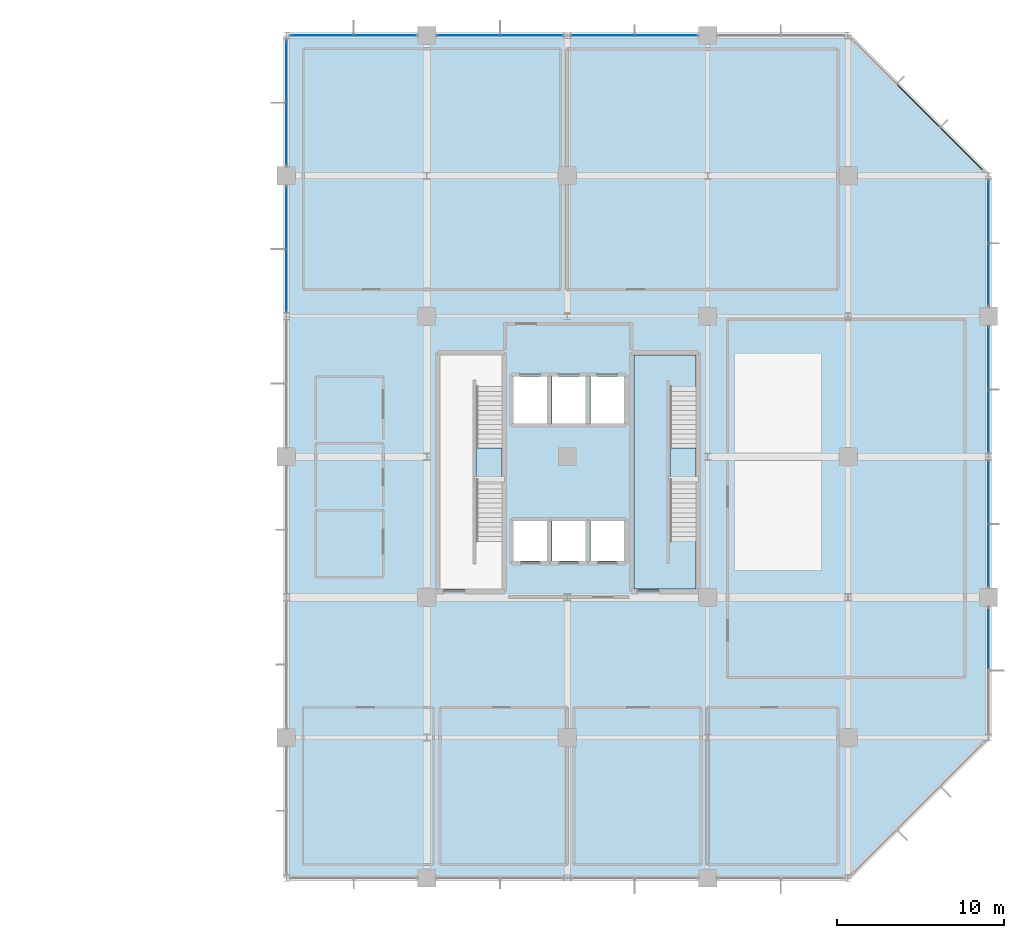
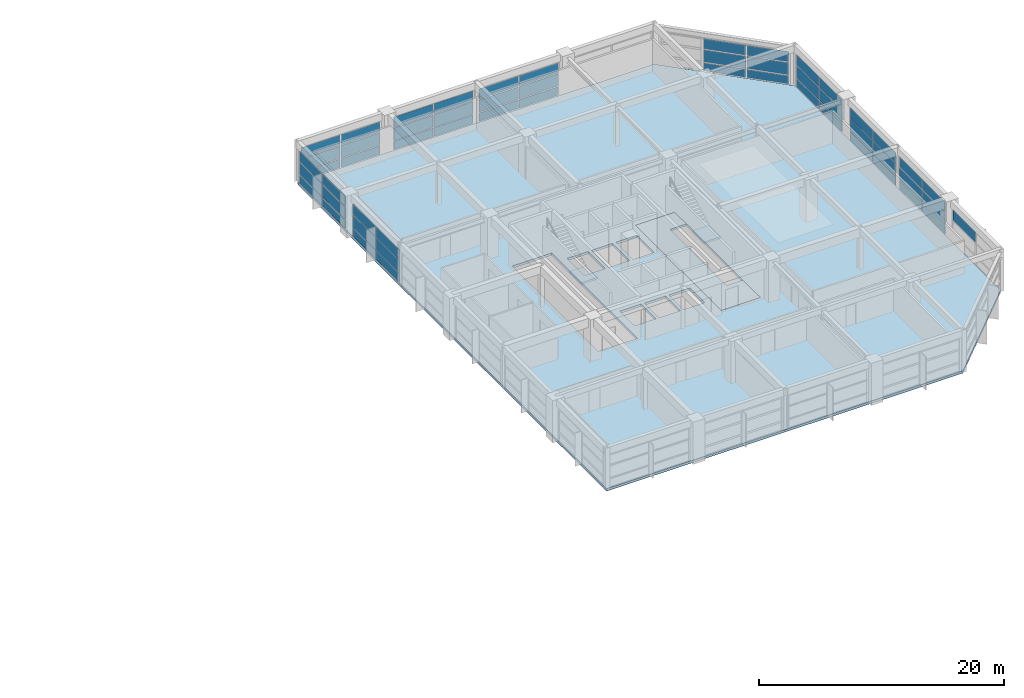
# One storey, part 14 of 19: 55 plates, 4 slabs, 12 elements without a shape of their own.
"""IFC4 building model written with IfcOpenShell, lengths in metres."""

from ifc_helpers import new_model, si_unit, direction, frame, origin, origin_2d, place, context, subcontext, project, spatial, polyline, rectangle, outline, extrude, material, layer, layer_set, type_object, element, aggregate, save


model = new_model("IFC4")

# Units and contexts
model_context = context("Model", 3, precision=1e-05, world=origin(), true_north=direction((0.0, 1.0)))
body_context = subcontext(model_context, "Body", "Model", "MODEL_VIEW")
ifc_project = project(units=[si_unit("LENGTHUNIT", "METRE"), si_unit("AREAUNIT", "SQUARE_METRE"), si_unit("VOLUMEUNIT", "CUBIC_METRE"), si_unit("PLANEANGLEUNIT", "RADIAN"), si_unit("MASSUNIT", "GRAM", prefix="KILO")], contexts=[model_context])

# Site, building, storey
site_placement = place(None, origin())
site = spatial("IfcSite", under=ifc_project, at=site_placement, CompositionType="ELEMENT")
building_placement = place(site_placement, origin())
building = spatial("IfcBuilding", under=site, at=building_placement, Name="Xuanlan Plaza Opera House", CompositionType="ELEMENT")
storey_placement = place(building_placement, frame((0.0, 0.0, 36.300048828125)))
storey = spatial("IfcBuildingStorey", under=building, at=storey_placement, Name="L08", CompositionType="ELEMENT", Elevation=36.300048828125)

# Curtain wall, plates
ifc_material_1 = material(Name="Anodised Aluminium 6063-T6 and Low-E Glass", Category="aluminium")
curtain_wall_type_1 = type_object("IfcCurtainWallType", Name="ENV-CW-CW-01", PredefinedType="USERDEFINED", material=ifc_material_1)
curtain_wall_1_placement = place(storey_placement, origin())
curtain_wall_1 = element("IfcCurtainWall", 1, at=curtain_wall_1_placement, inside=storey, type_object=curtain_wall_type_1, Name="Unitised Curtain Wall L08-007", ObjectType="UNITISED CURTAIN WALL", PredefinedType="USERDEFINED")
ifc_material_2 = material(Name="Laminated Acoustic Double Glazing", Category="glass")
ifc_layer_1 = layer(ifc_material_2, 0.028076171875)
ifc_layer_set_1 = layer_set([ifc_layer_1], Name="Laminated Acoustic Double Glazing")
plate_type_1 = type_object("IfcPlateType", Name="ENV-CWP-01", PredefinedType="CURTAIN_PANEL", material=ifc_layer_set_1)
plate_1_placement = place(storey_placement, frame((168.0, 52.889892578125, 0.079833984375), z_axis=(0.0, 0.0, 1.0), x_axis=(0.0, 1.0, 0.0)))
plate_1 = element("IfcPlate", 2, at=plate_1_placement, type_object=plate_type_1, Name="CW-01 panel 1.1", PredefinedType="CURTAIN_PANEL", context=body_context, shape_type="SweptSolid", body=[
    extrude(rectangle(XDim=3.699951171875, YDim=0.028076171875, at=origin_2d()), origin(), (0.0, 0.0, 1.0), 0.830078125),
])
plate_2_placement = place(storey_placement, frame((168.0, 52.889892578125, 0.98974609375), z_axis=(0.0, 0.0, 1.0), x_axis=(0.0, 1.0, 0.0)))
plate_2 = element("IfcPlate", 3, at=plate_2_placement, type_object=plate_type_1, Name="CW-01 panel 1.2", PredefinedType="CURTAIN_PANEL", context=body_context, shape_type="SweptSolid", body=[
    extrude(rectangle(XDim=3.699951171875, YDim=0.028076171875, at=origin_2d()), origin(), (0.0, 0.0, 1.0), 1.219970703125),
])
plate_3_placement = place(storey_placement, frame((168.0, 52.889892578125, 2.2900390625), z_axis=(0.0, 0.0, 1.0), x_axis=(0.0, 1.0, 0.0)))
plate_3 = element("IfcPlate", 4, at=plate_3_placement, type_object=plate_type_1, Name="CW-01 panel 1.3", PredefinedType="CURTAIN_PANEL", context=body_context, shape_type="SweptSolid", body=[
    extrude(rectangle(XDim=3.699951171875, YDim=0.028076171875, at=origin_2d()), origin(), (0.0, 0.0, 1.0), 1.010009765625),
])
plate_4_placement = place(storey_placement, frame((168.0, 56.659912109375, 0.079833984375), z_axis=(0.0, 0.0, 1.0), x_axis=(0.0, 1.0, 0.0)))
plate_4 = element("IfcPlate", 5, at=plate_4_placement, type_object=plate_type_1, Name="CW-01 panel 2.1", PredefinedType="CURTAIN_PANEL", context=body_context, shape_type="SweptSolid", body=[
    extrude(rectangle(XDim=3.699951171875, YDim=0.028076171875, at=origin_2d()), origin(), (0.0, 0.0, 1.0), 0.830078125),
])
plate_5_placement = place(storey_placement, frame((168.0, 56.659912109375, 0.98974609375), z_axis=(0.0, 0.0, 1.0), x_axis=(0.0, 1.0, 0.0)))
plate_5 = element("IfcPlate", 6, at=plate_5_placement, type_object=plate_type_1, Name="CW-01 panel 2.2", PredefinedType="CURTAIN_PANEL", context=body_context, shape_type="SweptSolid", body=[
    extrude(rectangle(XDim=3.699951171875, YDim=0.028076171875, at=origin_2d()), origin(), (0.0, 0.0, 1.0), 1.219970703125),
])
plate_6_placement = place(storey_placement, frame((168.0, 56.659912109375, 2.2900390625), z_axis=(0.0, 0.0, 1.0), x_axis=(0.0, 1.0, 0.0)))
plate_6 = element("IfcPlate", 7, at=plate_6_placement, type_object=plate_type_1, Name="CW-01 panel 2.3", PredefinedType="CURTAIN_PANEL", context=body_context, shape_type="SweptSolid", body=[
    extrude(rectangle(XDim=3.699951171875, YDim=0.028076171875, at=origin_2d()), origin(), (0.0, 0.0, 1.0), 1.010009765625),
])
aggregate(curtain_wall_1, [plate_1, plate_2, plate_3, plate_4, plate_5, plate_6])

curtain_wall_type_2 = type_object("IfcCurtainWallType", Name="ENV-CW-CW-02", PredefinedType="USERDEFINED", material=ifc_material_1)
curtain_wall_2_placement = place(storey_placement, origin())
curtain_wall_2 = element("IfcCurtainWall", 8, at=curtain_wall_2_placement, inside=storey, type_object=curtain_wall_type_2, Name="Unitised Curtain Wall L08-012", ObjectType="UNITISED CURTAIN WALL", PredefinedType="USERDEFINED")
plate_7_placement = place(storey_placement, frame((148.7099609375, 84.0, 0.079833984375), z_axis=(0.0, 0.0, 1.0), x_axis=(-1.0, 0.0, 0.0)))
plate_7 = element("IfcPlate", 9, at=plate_7_placement, type_object=plate_type_1, Name="CW-02 panel 1.1", PredefinedType="CURTAIN_PANEL", context=body_context, shape_type="SweptSolid", body=[
    extrude(rectangle(XDim=3.699951171875, YDim=0.028076171875, at=origin_2d()), origin(), (0.0, 0.0, 1.0), 0.830078125),
])
plate_8_placement = place(storey_placement, frame((148.7099609375, 84.0, 0.98974609375), z_axis=(0.0, 0.0, 1.0), x_axis=(-1.0, 0.0, 0.0)))
plate_8 = element("IfcPlate", 10, at=plate_8_placement, type_object=plate_type_1, Name="CW-02 panel 1.2", PredefinedType="CURTAIN_PANEL", context=body_context, shape_type="SweptSolid", body=[
    extrude(rectangle(XDim=3.699951171875, YDim=0.028076171875, at=origin_2d()), origin(), (0.0, 0.0, 1.0), 1.219970703125),
])
plate_9_placement = place(storey_placement, frame((148.7099609375, 84.0, 2.2900390625), z_axis=(0.0, 0.0, 1.0), x_axis=(-1.0, 0.0, 0.0)))
plate_9 = element("IfcPlate", 11, at=plate_9_placement, type_object=plate_type_1, Name="CW-02 panel 1.3", PredefinedType="CURTAIN_PANEL", context=body_context, shape_type="SweptSolid", body=[
    extrude(rectangle(XDim=3.699951171875, YDim=0.028076171875, at=origin_2d()), origin(), (0.0, 0.0, 1.0), 1.010009765625),
])
plate_10_placement = place(storey_placement, frame((144.93994140625, 84.0, 0.079833984375), z_axis=(0.0, 0.0, 1.0), x_axis=(-1.0, 0.0, 0.0)))
plate_10 = element("IfcPlate", 12, at=plate_10_placement, type_object=plate_type_1, Name="CW-02 panel 2.1", PredefinedType="CURTAIN_PANEL", context=body_context, shape_type="SweptSolid", body=[
    extrude(rectangle(XDim=3.699951171875, YDim=0.028076171875, at=origin_2d()), origin(), (0.0, 0.0, 1.0), 0.830078125),
])
plate_11_placement = place(storey_placement, frame((144.93994140625, 84.0, 0.98974609375), z_axis=(0.0, 0.0, 1.0), x_axis=(-1.0, 0.0, 0.0)))
plate_11 = element("IfcPlate", 13, at=plate_11_placement, type_object=plate_type_1, Name="CW-02 panel 2.2", PredefinedType="CURTAIN_PANEL", context=body_context, shape_type="SweptSolid", body=[
    extrude(rectangle(XDim=3.699951171875, YDim=0.028076171875, at=origin_2d()), origin(), (0.0, 0.0, 1.0), 1.219970703125),
])
plate_12_placement = place(storey_placement, frame((144.93994140625, 84.0, 2.2900390625), z_axis=(0.0, 0.0, 1.0), x_axis=(-1.0, 0.0, 0.0)))
plate_12 = element("IfcPlate", 14, at=plate_12_placement, type_object=plate_type_1, Name="CW-02 panel 2.3", PredefinedType="CURTAIN_PANEL", context=body_context, shape_type="SweptSolid", body=[
    extrude(rectangle(XDim=3.699951171875, YDim=0.028076171875, at=origin_2d()), origin(), (0.0, 0.0, 1.0), 1.010009765625),
])
aggregate(curtain_wall_2, [plate_7, plate_8, plate_9, plate_10, plate_11, plate_12])

curtain_wall_type_3 = type_object("IfcCurtainWallType", Name="ENV-CW-CW-03", PredefinedType="USERDEFINED", material=ifc_material_1)
curtain_wall_3_placement = place(storey_placement, origin())
curtain_wall_3 = element("IfcCurtainWall", 15, at=curtain_wall_3_placement, inside=storey, type_object=curtain_wall_type_3, Name="Unitised Curtain Wall L08-009", ObjectType="UNITISED CURTAIN WALL", PredefinedType="USERDEFINED")
ifc_layer_2 = layer(ifc_material_2, 0.031982421875)
ifc_layer_set_2 = layer_set([ifc_layer_2], Name="Laminated Acoustic Double Glazing")
plate_type_2 = type_object("IfcPlateType", Name="ENV-CWP-02", PredefinedType="CURTAIN_PANEL", material=ifc_layer_set_2)
plate_13_placement = place(storey_placement, frame((168.0, 69.6923828125, 0.074951171875), z_axis=(0.0, 0.0, 1.0), x_axis=(0.0, 1.0, 0.0)))
plate_13 = element("IfcPlate", 16, at=plate_13_placement, type_object=plate_type_2, Name="CW-03 panel 1.1", PredefinedType="CURTAIN_PANEL", context=body_context, shape_type="SweptSolid", body=[
    extrude(rectangle(XDim=3.68505859375, YDim=0.031982421875, at=origin_2d()), origin(), (0.0, 0.0, 1.0), 0.83740234375),
])
plate_14_placement = place(storey_placement, frame((168.0, 69.6923828125, 0.9873046875), z_axis=(0.0, 0.0, 1.0), x_axis=(0.0, 1.0, 0.0)))
plate_14 = element("IfcPlate", 17, at=plate_14_placement, type_object=plate_type_2, Name="CW-03 panel 1.2", PredefinedType="CURTAIN_PANEL", context=body_context, shape_type="SweptSolid", body=[
    extrude(rectangle(XDim=3.68505859375, YDim=0.031982421875, at=origin_2d()), origin(), (0.0, 0.0, 1.0), 1.22509765625),
])
plate_15_placement = place(storey_placement, frame((168.0, 69.6923828125, 2.287353515625), z_axis=(0.0, 0.0, 1.0), x_axis=(0.0, 1.0, 0.0)))
plate_15 = element("IfcPlate", 18, at=plate_15_placement, type_object=plate_type_2, Name="CW-03 panel 1.3", PredefinedType="CURTAIN_PANEL", context=body_context, shape_type="SweptSolid", body=[
    extrude(rectangle(XDim=3.68505859375, YDim=0.031982421875, at=origin_2d()), origin(), (0.0, 0.0, 1.0), 1.017578125),
])
plate_16_placement = place(storey_placement, frame((168.0, 73.45751953125, 0.074951171875), z_axis=(0.0, 0.0, 1.0), x_axis=(0.0, 1.0, 0.0)))
plate_16 = element("IfcPlate", 19, at=plate_16_placement, type_object=plate_type_2, Name="CW-03 panel 2.1", PredefinedType="CURTAIN_PANEL", context=body_context, shape_type="SweptSolid", body=[
    extrude(rectangle(XDim=3.68505859375, YDim=0.031982421875, at=origin_2d()), origin(), (0.0, 0.0, 1.0), 0.83740234375),
])
plate_17_placement = place(storey_placement, frame((168.0, 73.45751953125, 0.9873046875), z_axis=(0.0, 0.0, 1.0), x_axis=(0.0, 1.0, 0.0)))
plate_17 = element("IfcPlate", 20, at=plate_17_placement, type_object=plate_type_2, Name="CW-03 panel 2.2", PredefinedType="CURTAIN_PANEL", context=body_context, shape_type="SweptSolid", body=[
    extrude(rectangle(XDim=3.68505859375, YDim=0.031982421875, at=origin_2d()), origin(), (0.0, 0.0, 1.0), 1.22509765625),
])
plate_18_placement = place(storey_placement, frame((168.0, 73.45751953125, 2.287353515625), z_axis=(0.0, 0.0, 1.0), x_axis=(0.0, 1.0, 0.0)))
plate_18 = element("IfcPlate", 21, at=plate_18_placement, type_object=plate_type_2, Name="CW-03 panel 2.3", PredefinedType="CURTAIN_PANEL", context=body_context, shape_type="SweptSolid", body=[
    extrude(rectangle(XDim=3.68505859375, YDim=0.031982421875, at=origin_2d()), origin(), (0.0, 0.0, 1.0), 1.017578125),
])
aggregate(curtain_wall_3, [plate_13, plate_14, plate_15, plate_16, plate_17, plate_18])

curtain_wall_type_4 = type_object("IfcCurtainWallType", Name="ENV-CW-CW-04", PredefinedType="USERDEFINED", material=ifc_material_1)
curtain_wall_4_placement = place(storey_placement, origin())
curtain_wall_4 = element("IfcCurtainWall", 22, at=curtain_wall_4_placement, inside=storey, type_object=curtain_wall_type_4, Name="Unitised Curtain Wall L08-014", ObjectType="UNITISED CURTAIN WALL", PredefinedType="USERDEFINED")
plate_19_placement = place(storey_placement, frame((131.907470703125, 84.0, 0.074951171875), z_axis=(0.0, 0.0, 1.0), x_axis=(-1.0, 0.0, 0.0)))
plate_19 = element("IfcPlate", 23, at=plate_19_placement, type_object=plate_type_2, Name="CW-04 panel 1.1", PredefinedType="CURTAIN_PANEL", context=body_context, shape_type="SweptSolid", body=[
    extrude(rectangle(XDim=3.68505859375, YDim=0.031982421875, at=origin_2d()), origin(), (0.0, 0.0, 1.0), 0.83740234375),
])
plate_20_placement = place(storey_placement, frame((131.907470703125, 84.0, 0.9873046875), z_axis=(0.0, 0.0, 1.0), x_axis=(-1.0, 0.0, 0.0)))
plate_20 = element("IfcPlate", 24, at=plate_20_placement, type_object=plate_type_2, Name="CW-04 panel 1.2", PredefinedType="CURTAIN_PANEL", context=body_context, shape_type="SweptSolid", body=[
    extrude(rectangle(XDim=3.68505859375, YDim=0.031982421875, at=origin_2d()), origin(), (0.0, 0.0, 1.0), 1.22509765625),
])
plate_21_placement = place(storey_placement, frame((131.907470703125, 84.0, 2.287353515625), z_axis=(0.0, 0.0, 1.0), x_axis=(-1.0, 0.0, 0.0)))
plate_21 = element("IfcPlate", 25, at=plate_21_placement, type_object=plate_type_2, Name="CW-04 panel 1.3", PredefinedType="CURTAIN_PANEL", context=body_context, shape_type="SweptSolid", body=[
    extrude(rectangle(XDim=3.68505859375, YDim=0.031982421875, at=origin_2d()), origin(), (0.0, 0.0, 1.0), 1.017578125),
])
plate_22_placement = place(storey_placement, frame((128.142578125, 84.0, 0.074951171875), z_axis=(0.0, 0.0, 1.0), x_axis=(-1.0, 0.0, 0.0)))
plate_22 = element("IfcPlate", 26, at=plate_22_placement, type_object=plate_type_2, Name="CW-04 panel 2.1", PredefinedType="CURTAIN_PANEL", context=body_context, shape_type="SweptSolid", body=[
    extrude(rectangle(XDim=3.68505859375, YDim=0.031982421875, at=origin_2d()), origin(), (0.0, 0.0, 1.0), 0.83740234375),
])
plate_23_placement = place(storey_placement, frame((128.142578125, 84.0, 0.9873046875), z_axis=(0.0, 0.0, 1.0), x_axis=(-1.0, 0.0, 0.0)))
plate_23 = element("IfcPlate", 27, at=plate_23_placement, type_object=plate_type_2, Name="CW-04 panel 2.2", PredefinedType="CURTAIN_PANEL", context=body_context, shape_type="SweptSolid", body=[
    extrude(rectangle(XDim=3.68505859375, YDim=0.031982421875, at=origin_2d()), origin(), (0.0, 0.0, 1.0), 1.22509765625),
])
plate_24_placement = place(storey_placement, frame((128.142578125, 84.0, 2.287353515625), z_axis=(0.0, 0.0, 1.0), x_axis=(-1.0, 0.0, 0.0)))
plate_24 = element("IfcPlate", 28, at=plate_24_placement, type_object=plate_type_2, Name="CW-04 panel 2.3", PredefinedType="CURTAIN_PANEL", context=body_context, shape_type="SweptSolid", body=[
    extrude(rectangle(XDim=3.68505859375, YDim=0.031982421875, at=origin_2d()), origin(), (0.0, 0.0, 1.0), 1.017578125),
])
aggregate(curtain_wall_4, [plate_19, plate_20, plate_21, plate_22, plate_23, plate_24])

# Curtain wall, plate
curtain_wall_5_placement = place(storey_placement, origin())
curtain_wall_5 = element("IfcCurtainWall", 29, at=curtain_wall_5_placement, inside=storey, type_object=curtain_wall_type_4, Name="Unitised Curtain Wall L08-006", ObjectType="UNITISED CURTAIN WALL", PredefinedType="USERDEFINED")
ifc_layer_3 = layer(ifc_material_2, 0.035888671875)
ifc_layer_set_3 = layer_set([ifc_layer_3], Name="Laminated Acoustic Double Glazing")
plate_type_3 = type_object("IfcPlateType", Name="ENV-CWP-03", PredefinedType="CURTAIN_PANEL", material=ifc_layer_set_3)
plate_25_placement = place(storey_placement, frame((168.0, 47.9111328125, 2.284912109375), z_axis=(0.0, 0.0, 1.0), x_axis=(0.0, 1.0, 0.0)))
plate_25 = element("IfcPlate", 30, at=plate_25_placement, type_object=plate_type_3, Name="CW-04 panel 2.3", PredefinedType="CURTAIN_PANEL", context=body_context, shape_type="SweptSolid", body=[
    extrude(rectangle(XDim=3.70751953125, YDim=0.035888671875, at=origin_2d()), origin(), (0.0, 0.0, 1.0), 1.02490234375),
])
aggregate(curtain_wall_5, [plate_25])

# Curtain wall, plates
curtain_wall_6_placement = place(storey_placement, origin())
curtain_wall_6 = element("IfcCurtainWall", 31, at=curtain_wall_6_placement, inside=storey, type_object=curtain_wall_type_2, Name="Unitised Curtain Wall L08-016", ObjectType="UNITISED CURTAIN WALL", PredefinedType="USERDEFINED")
plate_26_placement = place(storey_placement, frame((126.0, 73.111328125, 0.06982421875), z_axis=(0.0, 0.0, 1.0), x_axis=(0.0, -1.0, 0.0)))
plate_26 = element("IfcPlate", 32, at=plate_26_placement, type_object=plate_type_3, Name="CW-02 panel 1.1", PredefinedType="CURTAIN_PANEL", context=body_context, shape_type="SweptSolid", body=[
    extrude(rectangle(XDim=3.70751953125, YDim=0.035888671875, at=origin_2d()), origin(), (0.0, 0.0, 1.0), 0.844970703125),
])
plate_27_placement = place(storey_placement, frame((126.0, 73.111328125, 0.98486328125), z_axis=(0.0, 0.0, 1.0), x_axis=(0.0, -1.0, 0.0)))
plate_27 = element("IfcPlate", 33, at=plate_27_placement, type_object=plate_type_3, Name="CW-02 panel 1.2", PredefinedType="CURTAIN_PANEL", context=body_context, shape_type="SweptSolid", body=[
    extrude(rectangle(XDim=3.70751953125, YDim=0.035888671875, at=origin_2d()), origin(), (0.0, 0.0, 1.0), 1.22998046875),
])
plate_28_placement = place(storey_placement, frame((126.0, 73.111328125, 2.284912109375), z_axis=(0.0, 0.0, 1.0), x_axis=(0.0, -1.0, 0.0)))
plate_28 = element("IfcPlate", 34, at=plate_28_placement, type_object=plate_type_3, Name="CW-02 panel 1.3", PredefinedType="CURTAIN_PANEL", context=body_context, shape_type="SweptSolid", body=[
    extrude(rectangle(XDim=3.70751953125, YDim=0.035888671875, at=origin_2d()), origin(), (0.0, 0.0, 1.0), 1.02490234375),
])
plate_29_placement = place(storey_placement, frame((126.0, 69.3388671875, 0.06982421875), z_axis=(0.0, 0.0, 1.0), x_axis=(0.0, -1.0, 0.0)))
plate_29 = element("IfcPlate", 35, at=plate_29_placement, type_object=plate_type_3, Name="CW-02 panel 2.1", PredefinedType="CURTAIN_PANEL", context=body_context, shape_type="SweptSolid", body=[
    extrude(rectangle(XDim=3.70751953125, YDim=0.035888671875, at=origin_2d()), origin(), (0.0, 0.0, 1.0), 0.844970703125),
])
plate_30_placement = place(storey_placement, frame((126.0, 69.3388671875, 0.98486328125), z_axis=(0.0, 0.0, 1.0), x_axis=(0.0, -1.0, 0.0)))
plate_30 = element("IfcPlate", 36, at=plate_30_placement, type_object=plate_type_3, Name="CW-02 panel 2.2", PredefinedType="CURTAIN_PANEL", context=body_context, shape_type="SweptSolid", body=[
    extrude(rectangle(XDim=3.70751953125, YDim=0.035888671875, at=origin_2d()), origin(), (0.0, 0.0, 1.0), 1.22998046875),
])
plate_31_placement = place(storey_placement, frame((126.0, 69.3388671875, 2.284912109375), z_axis=(0.0, 0.0, 1.0), x_axis=(0.0, -1.0, 0.0)))
plate_31 = element("IfcPlate", 37, at=plate_31_placement, type_object=plate_type_3, Name="CW-02 panel 2.3", PredefinedType="CURTAIN_PANEL", context=body_context, shape_type="SweptSolid", body=[
    extrude(rectangle(XDim=3.70751953125, YDim=0.035888671875, at=origin_2d()), origin(), (0.0, 0.0, 1.0), 1.02490234375),
])
aggregate(curtain_wall_6, [plate_26, plate_27, plate_28, plate_29, plate_30, plate_31])

curtain_wall_7_placement = place(storey_placement, origin())
curtain_wall_7 = element("IfcCurtainWall", 38, at=curtain_wall_7_placement, inside=storey, type_object=curtain_wall_type_2, Name="Unitised Curtain Wall L08-008", ObjectType="UNITISED CURTAIN WALL", PredefinedType="USERDEFINED")
ifc_layer_4 = layer(ifc_material_2, 0.0400390625)
ifc_layer_set_4 = layer_set([ifc_layer_4], Name="Laminated Acoustic Double Glazing")
plate_type_4 = type_object("IfcPlateType", Name="ENV-CWP-04", PredefinedType="CURTAIN_PANEL", material=ifc_layer_set_4)
plate_32_placement = place(storey_placement, frame((168.0, 60.941162109375, 0.06494140625), z_axis=(0.0, 0.0, 1.0), x_axis=(0.0, 1.0, 0.0)))
plate_32 = element("IfcPlate", 39, at=plate_32_placement, type_object=plate_type_4, Name="CW-02 panel 1.1", PredefinedType="CURTAIN_PANEL", context=body_context, shape_type="SweptSolid", body=[
    extrude(rectangle(XDim=3.6923828125, YDim=0.0400390625, at=origin_2d()), origin(), (0.0, 0.0, 1.0), 0.8525390625),
])
plate_33_placement = place(storey_placement, frame((168.0, 60.941162109375, 0.982421875), z_axis=(0.0, 0.0, 1.0), x_axis=(0.0, 1.0, 0.0)))
plate_33 = element("IfcPlate", 40, at=plate_33_placement, type_object=plate_type_4, Name="CW-02 panel 1.2", PredefinedType="CURTAIN_PANEL", context=body_context, shape_type="SweptSolid", body=[
    extrude(rectangle(XDim=3.6923828125, YDim=0.0400390625, at=origin_2d()), origin(), (0.0, 0.0, 1.0), 1.235107421875),
])
plate_34_placement = place(storey_placement, frame((168.0, 60.941162109375, 2.2822265625), z_axis=(0.0, 0.0, 1.0), x_axis=(0.0, 1.0, 0.0)))
plate_34 = element("IfcPlate", 41, at=plate_34_placement, type_object=plate_type_4, Name="CW-02 panel 1.3", PredefinedType="CURTAIN_PANEL", context=body_context, shape_type="SweptSolid", body=[
    extrude(rectangle(XDim=3.6923828125, YDim=0.0400390625, at=origin_2d()), origin(), (0.0, 0.0, 1.0), 1.032470703125),
])
plate_35_placement = place(storey_placement, frame((168.0, 64.708740234375, 0.06494140625), z_axis=(0.0, 0.0, 1.0), x_axis=(0.0, 1.0, 0.0)))
plate_35 = element("IfcPlate", 42, at=plate_35_placement, type_object=plate_type_4, Name="CW-02 panel 2.1", PredefinedType="CURTAIN_PANEL", context=body_context, shape_type="SweptSolid", body=[
    extrude(rectangle(XDim=3.6923828125, YDim=0.0400390625, at=origin_2d()), origin(), (0.0, 0.0, 1.0), 0.8525390625),
])
plate_36_placement = place(storey_placement, frame((168.0, 64.708740234375, 0.982421875), z_axis=(0.0, 0.0, 1.0), x_axis=(0.0, 1.0, 0.0)))
plate_36 = element("IfcPlate", 43, at=plate_36_placement, type_object=plate_type_4, Name="CW-02 panel 2.2", PredefinedType="CURTAIN_PANEL", context=body_context, shape_type="SweptSolid", body=[
    extrude(rectangle(XDim=3.6923828125, YDim=0.0400390625, at=origin_2d()), origin(), (0.0, 0.0, 1.0), 1.235107421875),
])
plate_37_placement = place(storey_placement, frame((168.0, 64.708740234375, 2.2822265625), z_axis=(0.0, 0.0, 1.0), x_axis=(0.0, 1.0, 0.0)))
plate_37 = element("IfcPlate", 44, at=plate_37_placement, type_object=plate_type_4, Name="CW-02 panel 2.3", PredefinedType="CURTAIN_PANEL", context=body_context, shape_type="SweptSolid", body=[
    extrude(rectangle(XDim=3.6923828125, YDim=0.0400390625, at=origin_2d()), origin(), (0.0, 0.0, 1.0), 1.032470703125),
])
aggregate(curtain_wall_7, [plate_32, plate_33, plate_34, plate_35, plate_36, plate_37])

curtain_wall_8_placement = place(storey_placement, origin())
curtain_wall_8 = element("IfcCurtainWall", 45, at=curtain_wall_8_placement, inside=storey, type_object=curtain_wall_type_3, Name="Unitised Curtain Wall L08-013", ObjectType="UNITISED CURTAIN WALL", PredefinedType="USERDEFINED")
plate_38_placement = place(storey_placement, frame((140.65869140625, 84.0, 0.06494140625), z_axis=(0.0, 0.0, 1.0), x_axis=(-1.0, 0.0, 0.0)))
plate_38 = element("IfcPlate", 46, at=plate_38_placement, type_object=plate_type_4, Name="CW-03 panel 1.1", PredefinedType="CURTAIN_PANEL", context=body_context, shape_type="SweptSolid", body=[
    extrude(rectangle(XDim=3.6923828125, YDim=0.0400390625, at=origin_2d()), origin(), (0.0, 0.0, 1.0), 0.8525390625),
])
plate_39_placement = place(storey_placement, frame((140.65869140625, 84.0, 0.982421875), z_axis=(0.0, 0.0, 1.0), x_axis=(-1.0, 0.0, 0.0)))
plate_39 = element("IfcPlate", 47, at=plate_39_placement, type_object=plate_type_4, Name="CW-03 panel 1.2", PredefinedType="CURTAIN_PANEL", context=body_context, shape_type="SweptSolid", body=[
    extrude(rectangle(XDim=3.6923828125, YDim=0.0400390625, at=origin_2d()), origin(), (0.0, 0.0, 1.0), 1.235107421875),
])
plate_40_placement = place(storey_placement, frame((140.65869140625, 84.0, 2.2822265625), z_axis=(0.0, 0.0, 1.0), x_axis=(-1.0, 0.0, 0.0)))
plate_40 = element("IfcPlate", 48, at=plate_40_placement, type_object=plate_type_4, Name="CW-03 panel 1.3", PredefinedType="CURTAIN_PANEL", context=body_context, shape_type="SweptSolid", body=[
    extrude(rectangle(XDim=3.6923828125, YDim=0.0400390625, at=origin_2d()), origin(), (0.0, 0.0, 1.0), 1.032470703125),
])
plate_41_placement = place(storey_placement, frame((136.891357421875, 84.0, 0.06494140625), z_axis=(0.0, 0.0, 1.0), x_axis=(-1.0, 0.0, 0.0)))
plate_41 = element("IfcPlate", 49, at=plate_41_placement, type_object=plate_type_4, Name="CW-03 panel 2.1", PredefinedType="CURTAIN_PANEL", context=body_context, shape_type="SweptSolid", body=[
    extrude(rectangle(XDim=3.6923828125, YDim=0.0400390625, at=origin_2d()), origin(), (0.0, 0.0, 1.0), 0.8525390625),
])
plate_42_placement = place(storey_placement, frame((136.891357421875, 84.0, 0.982421875), z_axis=(0.0, 0.0, 1.0), x_axis=(-1.0, 0.0, 0.0)))
plate_42 = element("IfcPlate", 50, at=plate_42_placement, type_object=plate_type_4, Name="CW-03 panel 2.2", PredefinedType="CURTAIN_PANEL", context=body_context, shape_type="SweptSolid", body=[
    extrude(rectangle(XDim=3.6923828125, YDim=0.0400390625, at=origin_2d()), origin(), (0.0, 0.0, 1.0), 1.235107421875),
])
plate_43_placement = place(storey_placement, frame((136.891357421875, 84.0, 2.2822265625), z_axis=(0.0, 0.0, 1.0), x_axis=(-1.0, 0.0, 0.0)))
plate_43 = element("IfcPlate", 51, at=plate_43_placement, type_object=plate_type_4, Name="CW-03 panel 2.3", PredefinedType="CURTAIN_PANEL", context=body_context, shape_type="SweptSolid", body=[
    extrude(rectangle(XDim=3.6923828125, YDim=0.0400390625, at=origin_2d()), origin(), (0.0, 0.0, 1.0), 1.032470703125),
])
aggregate(curtain_wall_8, [plate_38, plate_39, plate_40, plate_41, plate_42, plate_43])

curtain_wall_9_placement = place(storey_placement, origin())
curtain_wall_9 = element("IfcCurtainWall", 52, at=curtain_wall_9_placement, inside=storey, type_object=curtain_wall_type_4, Name="Unitised Curtain Wall L08-010", ObjectType="UNITISED CURTAIN WALL", PredefinedType="USERDEFINED")
ifc_layer_5 = layer(ifc_material_2, 0.0439453125)
ifc_layer_set_5 = layer_set([ifc_layer_5], Name="Laminated Acoustic Double Glazing")
plate_type_5 = type_object("IfcPlateType", Name="ENV-CWP-05", PredefinedType="CURTAIN_PANEL", material=ifc_layer_set_5)
plate_44_placement = place(storey_placement, frame((166.384765625, 77.21533203125, 0.090087890625), z_axis=(0.0, 0.0, 1.0), x_axis=(-0.707106781187, 0.707106781187, 0.0)))
plate_44 = element("IfcPlate", 53, at=plate_44_placement, type_object=plate_type_5, Name="CW-04 panel 1.1", PredefinedType="CURTAIN_PANEL", context=body_context, shape_type="SweptSolid", body=[
    extrude(rectangle(XDim=3.54296875, YDim=0.0439453125, at=origin_2d()), origin(), (0.0, 0.0, 1.0), 0.81494140625),
])
plate_45_placement = place(storey_placement, frame((166.384765625, 77.21533203125, 0.994873046875), z_axis=(0.0, 0.0, 1.0), x_axis=(-0.707106781187, 0.707106781187, 0.0)))
plate_45 = element("IfcPlate", 54, at=plate_45_placement, type_object=plate_type_5, Name="CW-04 panel 1.2", PredefinedType="CURTAIN_PANEL", context=body_context, shape_type="SweptSolid", body=[
    extrude(rectangle(XDim=3.54296875, YDim=0.0439453125, at=origin_2d()), origin(), (0.0, 0.0, 1.0), 1.2099609375),
])
plate_46_placement = place(storey_placement, frame((166.384765625, 77.21533203125, 2.294921875), z_axis=(0.0, 0.0, 1.0), x_axis=(-0.707106781187, 0.707106781187, 0.0)))
plate_46 = element("IfcPlate", 55, at=plate_46_placement, type_object=plate_type_5, Name="CW-04 panel 1.3", PredefinedType="CURTAIN_PANEL", context=body_context, shape_type="SweptSolid", body=[
    extrude(rectangle(XDim=3.54296875, YDim=0.0439453125, at=origin_2d()), origin(), (0.0, 0.0, 1.0), 0.9951171875),
])
plate_47_placement = place(storey_placement, frame((163.800048828125, 79.800048828125, 0.090087890625), z_axis=(0.0, 0.0, 1.0), x_axis=(-0.707106781187, 0.707106781187, 0.0)))
plate_47 = element("IfcPlate", 56, at=plate_47_placement, type_object=plate_type_5, Name="CW-04 panel 2.1", PredefinedType="CURTAIN_PANEL", context=body_context, shape_type="SweptSolid", body=[
    extrude(rectangle(XDim=3.587890625, YDim=0.0439453125, at=origin_2d()), origin(), (0.0, 0.0, 1.0), 0.81494140625),
])
plate_48_placement = place(storey_placement, frame((163.800048828125, 79.800048828125, 0.994873046875), z_axis=(0.0, 0.0, 1.0), x_axis=(-0.707106781187, 0.707106781187, 0.0)))
plate_48 = element("IfcPlate", 57, at=plate_48_placement, type_object=plate_type_5, Name="CW-04 panel 2.2", PredefinedType="CURTAIN_PANEL", context=body_context, shape_type="SweptSolid", body=[
    extrude(rectangle(XDim=3.587890625, YDim=0.0439453125, at=origin_2d()), origin(), (0.0, 0.0, 1.0), 1.2099609375),
])
plate_49_placement = place(storey_placement, frame((163.800048828125, 79.800048828125, 2.294921875), z_axis=(0.0, 0.0, 1.0), x_axis=(-0.707106781187, 0.707106781187, 0.0)))
plate_49 = element("IfcPlate", 58, at=plate_49_placement, type_object=plate_type_5, Name="CW-04 panel 2.3", PredefinedType="CURTAIN_PANEL", context=body_context, shape_type="SweptSolid", body=[
    extrude(rectangle(XDim=3.587890625, YDim=0.0439453125, at=origin_2d()), origin(), (0.0, 0.0, 1.0), 0.9951171875),
])
aggregate(curtain_wall_9, [plate_44, plate_45, plate_46, plate_47, plate_48, plate_49])

curtain_wall_10_placement = place(storey_placement, origin())
curtain_wall_10 = element("IfcCurtainWall", 59, at=curtain_wall_10_placement, inside=storey, type_object=curtain_wall_type_1, Name="Unitised Curtain Wall L08-015", ObjectType="UNITISED CURTAIN WALL", PredefinedType="USERDEFINED")
plate_50_placement = place(storey_placement, frame((126.0, 81.85498046875, 0.090087890625), z_axis=(0.0, 0.0, 1.0), x_axis=(0.0, -1.0, 0.0)))
plate_50 = element("IfcPlate", 60, at=plate_50_placement, type_object=plate_type_5, Name="CW-01 panel 1.1", PredefinedType="CURTAIN_PANEL", context=body_context, shape_type="SweptSolid", body=[
    extrude(rectangle(XDim=3.669921875, YDim=0.0439453125, at=origin_2d()), origin(), (0.0, 0.0, 1.0), 0.81494140625),
])
plate_51_placement = place(storey_placement, frame((126.0, 81.85498046875, 0.994873046875), z_axis=(0.0, 0.0, 1.0), x_axis=(0.0, -1.0, 0.0)))
plate_51 = element("IfcPlate", 61, at=plate_51_placement, type_object=plate_type_5, Name="CW-01 panel 1.2", PredefinedType="CURTAIN_PANEL", context=body_context, shape_type="SweptSolid", body=[
    extrude(rectangle(XDim=3.669921875, YDim=0.0439453125, at=origin_2d()), origin(), (0.0, 0.0, 1.0), 1.2099609375),
])
plate_52_placement = place(storey_placement, frame((126.0, 81.85498046875, 2.294921875), z_axis=(0.0, 0.0, 1.0), x_axis=(0.0, -1.0, 0.0)))
plate_52 = element("IfcPlate", 62, at=plate_52_placement, type_object=plate_type_5, Name="CW-01 panel 1.3", PredefinedType="CURTAIN_PANEL", context=body_context, shape_type="SweptSolid", body=[
    extrude(rectangle(XDim=3.669921875, YDim=0.0439453125, at=origin_2d()), origin(), (0.0, 0.0, 1.0), 0.9951171875),
])
plate_53_placement = place(storey_placement, frame((126.0, 78.094970703125, 0.090087890625), z_axis=(0.0, 0.0, 1.0), x_axis=(0.0, -1.0, 0.0)))
plate_53 = element("IfcPlate", 63, at=plate_53_placement, type_object=plate_type_5, Name="CW-01 panel 2.1", PredefinedType="CURTAIN_PANEL", context=body_context, shape_type="SweptSolid", body=[
    extrude(rectangle(XDim=3.669921875, YDim=0.0439453125, at=origin_2d()), origin(), (0.0, 0.0, 1.0), 0.81494140625),
])
plate_54_placement = place(storey_placement, frame((126.0, 78.094970703125, 0.994873046875), z_axis=(0.0, 0.0, 1.0), x_axis=(0.0, -1.0, 0.0)))
plate_54 = element("IfcPlate", 64, at=plate_54_placement, type_object=plate_type_5, Name="CW-01 panel 2.2", PredefinedType="CURTAIN_PANEL", context=body_context, shape_type="SweptSolid", body=[
    extrude(rectangle(XDim=3.669921875, YDim=0.0439453125, at=origin_2d()), origin(), (0.0, 0.0, 1.0), 1.2099609375),
])
plate_55_placement = place(storey_placement, frame((126.0, 78.094970703125, 2.294921875), z_axis=(0.0, 0.0, 1.0), x_axis=(0.0, -1.0, 0.0)))
plate_55 = element("IfcPlate", 65, at=plate_55_placement, type_object=plate_type_5, Name="CW-01 panel 2.3", PredefinedType="CURTAIN_PANEL", context=body_context, shape_type="SweptSolid", body=[
    extrude(rectangle(XDim=3.669921875, YDim=0.0439453125, at=origin_2d()), origin(), (0.0, 0.0, 1.0), 0.9951171875),
])
aggregate(curtain_wall_10, [plate_50, plate_51, plate_52, plate_53, plate_54, plate_55])

# Stair, slab
ifc_material_3 = material(Name="Concrete C40", Category="concrete")
stair_type = type_object("IfcStairType", Name="INT-ST-STR-T155", PredefinedType="STRAIGHT_RUN_STAIR", material=ifc_material_3)
stair_1_placement = place(storey_placement, origin())
stair_1 = element("IfcStair", 66, at=stair_1_placement, inside=storey, type_object=stair_type, Name="Protected Exit Stair ST-T1 L08", PredefinedType="STRAIGHT_RUN_STAIR")
ifc_layer_6 = layer(ifc_material_3, 0.199951171875)
ifc_layer_set_6 = layer_set([ifc_layer_6], Name="Concrete C40")
slab_type_1 = type_object("IfcSlabType", Name="INT-SLB-LND-20", PredefinedType="LANDING", material=ifc_layer_set_6)
slab_1_placement = place(storey_placement, frame((0.0, 0.0, 1.89990234375)))
slab_1 = element("IfcSlab", 67, at=slab_1_placement, type_object=slab_type_1, Name="ST-T1-L08 landing 1", PredefinedType="LANDING", context=body_context, shape_type="SweptSolid", body=[
    extrude(outline(polyline([(137.35009765625, 57.419921875), (138.89990234375, 57.419921875), (138.89990234375, 59.320068359375), (137.35009765625, 59.320068359375), (137.35009765625, 57.419921875)])), origin(), (0.0, 0.0, 1.0), 0.199951171875),
])
aggregate(stair_1, [slab_1])

# Stair, slabs
stair_2_placement = place(storey_placement, origin())
stair_2 = element("IfcStair", 68, at=stair_2_placement, inside=storey, type_object=stair_type, Name="Protected Exit Stair ST-T2 L08", PredefinedType="STRAIGHT_RUN_STAIR")
slab_2_placement = place(storey_placement, frame((0.0, 0.0, 1.89990234375)))
slab_2 = element("IfcSlab", 69, at=slab_2_placement, type_object=slab_type_1, Name="ST-T2-L08 landing 1", PredefinedType="LANDING", context=body_context, shape_type="SweptSolid", body=[
    extrude(outline(polyline([(148.949951171875, 57.419921875), (150.5, 57.419921875), (150.5, 59.320068359375), (148.949951171875, 59.320068359375), (148.949951171875, 57.419921875)])), origin(), (0.0, 0.0, 1.0), 0.199951171875),
])
slab_3_placement = place(storey_placement, frame((0.0, 0.0, -0.199951171875)))
slab_3 = element("IfcSlab", 70, at=slab_3_placement, type_object=slab_type_1, Name="ST-T2-L08 landing 2", PredefinedType="LANDING", context=body_context, shape_type="SweptSolid", body=[
    extrude(outline(polyline([(146.800048828125, 50.89990234375), (150.5, 50.89990234375), (150.5, 53.764892578125), (148.949951171875, 53.764892578125), (148.949951171875, 62.97509765625), (150.5, 62.97509765625), (150.5, 64.89990234375), (146.800048828125, 64.89990234375), (146.800048828125, 50.89990234375)])), origin(), (0.0, 0.0, 1.0), 0.199951171875),
])
aggregate(stair_2, [slab_2, slab_3])

# Slab
ifc_layer_7 = layer(ifc_material_3, 0.239990234375)
ifc_layer_set_7 = layer_set([ifc_layer_7], Name="Concrete C40")
slab_type_2 = type_object("IfcSlabType", Name="STR-SLB-SL-03", PredefinedType="FLOOR", material=ifc_layer_set_7)
slab_4_placement = place(storey_placement, frame((0.0, 0.0, -0.239990234375)))
element("IfcSlab", 71, at=slab_4_placement, inside=storey, type_object=slab_type_2, Name="Storey L08 Structural Floor Slab", PredefinedType="FLOOR", context=body_context, shape_type="SweptSolid", body=[
    extrude(outline(polyline([(126.0, 33.60009765625), (159.60009765625, 33.60009765625), (168.0, 42.0), (168.0, 75.60009765625), (159.60009765625, 84.0), (126.0, 84.0), (126.0, 33.60009765625)]), holes=[polyline([(135.199951171875, 50.89990234375), (138.89990234375, 50.89990234375), (138.89990234375, 64.89990234375), (135.199951171875, 64.89990234375), (135.199951171875, 50.89990234375)]), polyline([(146.800048828125, 50.89990234375), (150.5, 50.89990234375), (150.5, 64.89990234375), (146.800048828125, 64.89990234375), (146.800048828125, 50.89990234375)]), polyline([(139.60009765625, 60.800048828125), (141.60009765625, 60.800048828125), (141.60009765625, 63.60009765625), (139.60009765625, 63.60009765625), (139.60009765625, 60.800048828125)]), polyline([(141.89990234375, 60.800048828125), (143.89990234375, 60.800048828125), (143.89990234375, 63.60009765625), (141.89990234375, 63.60009765625), (141.89990234375, 60.800048828125)]), polyline([(144.199951171875, 60.800048828125), (146.199951171875, 60.800048828125), (146.199951171875, 63.60009765625), (144.199951171875, 63.60009765625), (144.199951171875, 60.800048828125)]), polyline([(139.60009765625, 52.550048828125), (141.60009765625, 52.550048828125), (141.60009765625, 54.949951171875), (139.60009765625, 54.949951171875), (139.60009765625, 52.550048828125)]), polyline([(141.89990234375, 52.550048828125), (143.89990234375, 52.550048828125), (143.89990234375, 54.949951171875), (141.89990234375, 54.949951171875), (141.89990234375, 52.550048828125)]), polyline([(144.199951171875, 52.550048828125), (146.199951171875, 52.550048828125), (146.199951171875, 54.949951171875), (144.199951171875, 54.949951171875), (144.199951171875, 52.550048828125)])]), origin(), (0.0, 0.0, 1.0), 0.239990234375),
])

save(model, "model.ifc")
